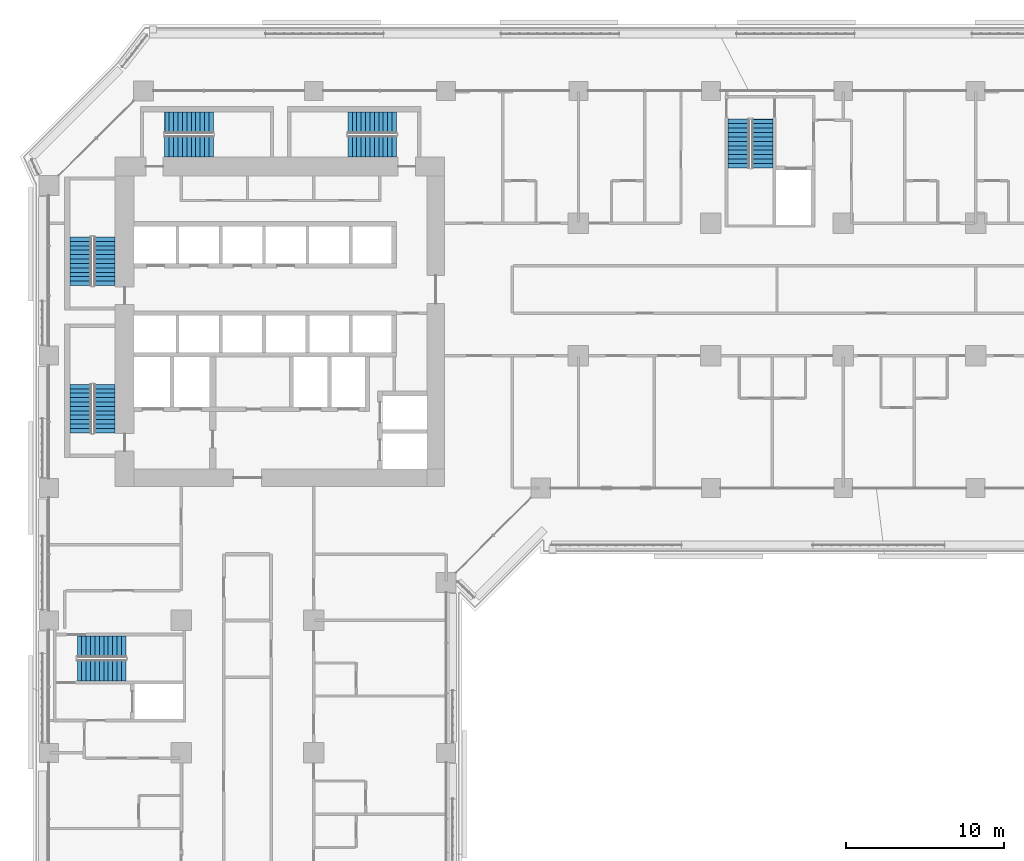
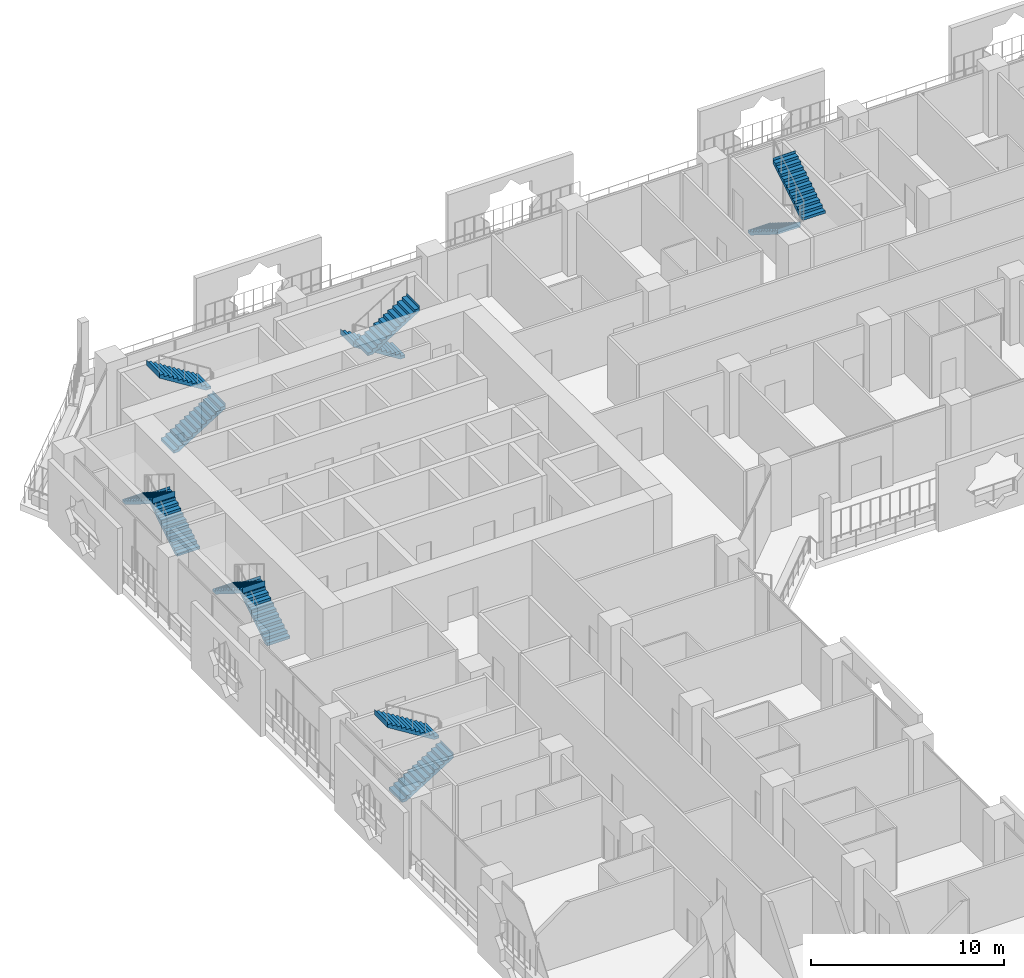
# One storey, part 20 of 28: 12 stair flights, 6 elements without a shape of their own.
"""IFC4 building model written with IfcOpenShell, lengths in metres."""

from ifc_helpers import new_model, si_unit, direction, frame, origin, place, context, subcontext, project, spatial, polyline, outline, extrude, material, type_object, element, aggregate, save


model = new_model("IFC4")

# Units and contexts
model_context = context("Model", 3, precision=1e-05, world=origin(), true_north=direction((0.0, 1.0)))
body_context = subcontext(model_context, "Body", "Model", "MODEL_VIEW")
ifc_project = project(units=[si_unit("LENGTHUNIT", "METRE"), si_unit("AREAUNIT", "SQUARE_METRE"), si_unit("VOLUMEUNIT", "CUBIC_METRE"), si_unit("PLANEANGLEUNIT", "RADIAN"), si_unit("MASSUNIT", "GRAM", prefix="KILO")], contexts=[model_context])

# Site, building, storey
site_placement = place(None, origin())
site = spatial("IfcSite", under=ifc_project, at=site_placement, CompositionType="ELEMENT")
building_placement = place(site_placement, origin())
building = spatial("IfcBuilding", under=site, at=building_placement, Name="Kawkab Arch Medical Tower", CompositionType="ELEMENT")
storey_placement = place(building_placement, frame((0.0, 0.0, 81.199951171875)))
storey = spatial("IfcBuildingStorey", under=building, at=storey_placement, Name="L18", CompositionType="ELEMENT", Elevation=81.199951171875)

# Stair, stair flights
ifc_material_1 = material(Name="Concrete C40/50", Category="concrete")
stair_type = type_object("IfcStairType", Name="Exit stair 1350", PredefinedType="HALF_TURN_STAIR", material=ifc_material_1)
placement = place(storey_placement, origin())
stair_1 = element("IfcStair", 1, at=placement, inside=storey, type_object=stair_type, Name="L18 Exit stair ST1", PredefinedType="HALF_TURN_STAIR")
ifc_material_2 = material(Name="Concrete C40/50", Category="concrete")
stair_flight_type = type_object("IfcStairFlightType", Name="Exit stair flight 1350", PredefinedType="STRAIGHT", material=ifc_material_2)
stair_flight_1_placement = place(storey_placement, frame((3.52490234375, -12.35009765625, 0.0), z_axis=(0.0, 0.0, 1.0), x_axis=(0.0, 1.0, 0.0)))
stair_flight_1 = element("IfcStairFlight", 2, at=stair_flight_1_placement, type_object=stair_flight_type, Name="ST1 flight 1", NumberOfRisers=12, NumberOfTreads=11, PredefinedType="STRAIGHT", RiserHeight=0.175, TreadLength=0.28, context=body_context, shape_type="SweptSolid", body=[
    extrude(outline(polyline([(-0.0029296875, 0.0), (-0.0029296875, 0.175048828125), (0.0, 0.175048828125), (0.280029296875, 0.175048828125), (0.280029296875, 0.35009765625), (0.56005859375, 0.35009765625), (0.56005859375, 0.52490234375), (0.840087890625, 0.52490234375), (0.840087890625, 0.699951171875), (1.1201171875, 0.699951171875), (1.1201171875, 0.875), (1.39990234375, 0.875), (1.39990234375, 1.050048828125), (1.679931640625, 1.050048828125), (1.679931640625, 1.22509765625), (1.9599609375, 1.22509765625), (1.9599609375, 1.39990234375), (2.239990234375, 1.39990234375), (2.239990234375, 1.574951171875), (2.52001953125, 1.574951171875), (2.52001953125, 1.75), (2.800048828125, 1.75), (2.800048828125, 1.925048828125), (3.080078125, 1.925048828125), (3.080078125, 2.10009765625), (3.0830078125, 2.10009765625), (3.0830078125, 1.748291015625), (3.080078125, 1.748291015625), (0.28271484375, 0.0), (-0.0029296875, 0.0)])), frame((0.0, 0.675048828125, 0.0), z_axis=(0.0, -1.0, 0.0), x_axis=(1.0, 0.0, 0.0)), (0.0, 0.0, 1.0), 1.35009765625),
])
stair_flight_2_placement = place(storey_placement, frame((2.02490234375, -9.27001953125, 2.10009765625), z_axis=(0.0, 0.0, 1.0), x_axis=(0.0, -1.0, 0.0)))
stair_flight_2 = element("IfcStairFlight", 3, at=stair_flight_2_placement, type_object=stair_flight_type, Name="ST1 flight 2", NumberOfRisers=12, NumberOfTreads=11, PredefinedType="STRAIGHT", RiserHeight=0.175, TreadLength=0.28, context=body_context, shape_type="SweptSolid", body=[
    extrude(outline(polyline([(-0.0029296875, 0.0), (-0.0029296875, 0.175048828125), (0.0, 0.175048828125), (0.280029296875, 0.175048828125), (0.280029296875, 0.35009765625), (0.56005859375, 0.35009765625), (0.56005859375, 0.52490234375), (0.840087890625, 0.52490234375), (0.840087890625, 0.699951171875), (1.1201171875, 0.699951171875), (1.1201171875, 0.875), (1.39990234375, 0.875), (1.39990234375, 1.050048828125), (1.679931640625, 1.050048828125), (1.679931640625, 1.22509765625), (1.9599609375, 1.22509765625), (1.9599609375, 1.39990234375), (2.239990234375, 1.39990234375), (2.239990234375, 1.574951171875), (2.52001953125, 1.574951171875), (2.52001953125, 1.75), (2.800048828125, 1.75), (2.800048828125, 1.925048828125), (3.080078125, 1.925048828125), (3.080078125, 2.10009765625), (3.0830078125, 2.10009765625), (3.0830078125, 1.748291015625), (3.080078125, 1.748291015625), (0.28271484375, 0.0), (-0.0029296875, 0.0)])), frame((0.0, 0.675048828125, 0.0), z_axis=(0.0, -1.0, 0.0), x_axis=(1.0, 0.0, 0.0)), (0.0, 0.0, 1.0), 1.35009765625),
])
aggregate(stair_1, [stair_flight_1, stair_flight_2])

stair_2 = element("IfcStair", 4, at=placement, inside=storey, type_object=stair_type, Name="L18 Exit stair ST2", PredefinedType="HALF_TURN_STAIR")
stair_flight_3_placement = place(storey_placement, frame((3.52490234375, -21.699951171875, 0.0), z_axis=(0.0, 0.0, 1.0), x_axis=(0.0, 1.0, 0.0)))
stair_flight_3 = element("IfcStairFlight", 5, at=stair_flight_3_placement, type_object=stair_flight_type, Name="ST2 flight 1", NumberOfRisers=12, NumberOfTreads=11, PredefinedType="STRAIGHT", RiserHeight=0.175, TreadLength=0.28, context=body_context, shape_type="SweptSolid", body=[
    extrude(outline(polyline([(-0.0029296875, 0.0), (-0.0029296875, 0.175048828125), (0.0, 0.175048828125), (0.280029296875, 0.175048828125), (0.280029296875, 0.35009765625), (0.56005859375, 0.35009765625), (0.56005859375, 0.52490234375), (0.840087890625, 0.52490234375), (0.840087890625, 0.699951171875), (1.1201171875, 0.699951171875), (1.1201171875, 0.875), (1.39990234375, 0.875), (1.39990234375, 1.050048828125), (1.679931640625, 1.050048828125), (1.679931640625, 1.22509765625), (1.9599609375, 1.22509765625), (1.9599609375, 1.39990234375), (2.239990234375, 1.39990234375), (2.239990234375, 1.574951171875), (2.52001953125, 1.574951171875), (2.52001953125, 1.75), (2.800048828125, 1.75), (2.800048828125, 1.925048828125), (3.080078125, 1.925048828125), (3.080078125, 2.10009765625), (3.0830078125, 2.10009765625), (3.0830078125, 1.748291015625), (3.080078125, 1.748291015625), (0.28271484375, 0.0), (-0.0029296875, 0.0)])), frame((0.0, 0.675048828125, 0.0), z_axis=(0.0, -1.0, 0.0), x_axis=(1.0, 0.0, 0.0)), (0.0, 0.0, 1.0), 1.35009765625),
])
stair_flight_4_placement = place(storey_placement, frame((2.02490234375, -18.6201171875, 2.10009765625), z_axis=(0.0, 0.0, 1.0), x_axis=(0.0, -1.0, 0.0)))
stair_flight_4 = element("IfcStairFlight", 6, at=stair_flight_4_placement, type_object=stair_flight_type, Name="ST2 flight 2", NumberOfRisers=12, NumberOfTreads=11, PredefinedType="STRAIGHT", RiserHeight=0.175, TreadLength=0.28, context=body_context, shape_type="SweptSolid", body=[
    extrude(outline(polyline([(-0.0029296875, 0.0), (-0.0029296875, 0.175048828125), (0.0, 0.175048828125), (0.280029296875, 0.175048828125), (0.280029296875, 0.35009765625), (0.56005859375, 0.35009765625), (0.56005859375, 0.52490234375), (0.840087890625, 0.52490234375), (0.840087890625, 0.699951171875), (1.1201171875, 0.699951171875), (1.1201171875, 0.875), (1.39990234375, 0.875), (1.39990234375, 1.050048828125), (1.679931640625, 1.050048828125), (1.679931640625, 1.22509765625), (1.9599609375, 1.22509765625), (1.9599609375, 1.39990234375), (2.239990234375, 1.39990234375), (2.239990234375, 1.574951171875), (2.52001953125, 1.574951171875), (2.52001953125, 1.75), (2.800048828125, 1.75), (2.800048828125, 1.925048828125), (3.080078125, 1.925048828125), (3.080078125, 2.10009765625), (3.0830078125, 2.10009765625), (3.0830078125, 1.748291015625), (3.080078125, 1.748291015625), (0.28271484375, 0.0), (-0.0029296875, 0.0)])), frame((0.0, 0.675048828125, 0.0), z_axis=(0.0, -1.0, 0.0), x_axis=(1.0, 0.0, 0.0)), (0.0, 0.0, 1.0), 1.35009765625),
])
aggregate(stair_2, [stair_flight_3, stair_flight_4])

stair_3 = element("IfcStair", 7, at=placement, inside=storey, type_object=stair_type, Name="L18 Exit stair ST3", PredefinedType="HALF_TURN_STAIR")
stair_flight_5_placement = place(storey_placement, frame((7.35009765625, -3.52490234375, 0.0), z_axis=(0.0, 0.0, 1.0), x_axis=(1.0, 0.0, 0.0)))
stair_flight_5 = element("IfcStairFlight", 8, at=stair_flight_5_placement, type_object=stair_flight_type, Name="ST3 flight 1", NumberOfRisers=12, NumberOfTreads=11, PredefinedType="STRAIGHT", RiserHeight=0.175, TreadLength=0.28, context=body_context, shape_type="SweptSolid", body=[
    extrude(outline(polyline([(-0.0029296875, 0.0), (-0.0029296875, 0.175048828125), (0.0, 0.175048828125), (0.280029296875, 0.175048828125), (0.280029296875, 0.35009765625), (0.56005859375, 0.35009765625), (0.56005859375, 0.52490234375), (0.840087890625, 0.52490234375), (0.840087890625, 0.699951171875), (1.1201171875, 0.699951171875), (1.1201171875, 0.875), (1.39990234375, 0.875), (1.39990234375, 1.050048828125), (1.679931640625, 1.050048828125), (1.679931640625, 1.22509765625), (1.9599609375, 1.22509765625), (1.9599609375, 1.39990234375), (2.239990234375, 1.39990234375), (2.239990234375, 1.574951171875), (2.52001953125, 1.574951171875), (2.52001953125, 1.75), (2.800048828125, 1.75), (2.800048828125, 1.925048828125), (3.080078125, 1.925048828125), (3.080078125, 2.10009765625), (3.0830078125, 2.10009765625), (3.0830078125, 1.748291015625), (3.080078125, 1.748291015625), (0.28271484375, 0.0), (-0.0029296875, 0.0)])), frame((0.0, 0.675048828125, 0.0), z_axis=(0.0, -1.0, 0.0), x_axis=(1.0, 0.0, 0.0)), (0.0, 0.0, 1.0), 1.35009765625),
])
stair_flight_6_placement = place(storey_placement, frame((10.429931640625, -2.02490234375, 2.10009765625), z_axis=(0.0, 0.0, 1.0), x_axis=(-1.0, 0.0, 0.0)))
stair_flight_6 = element("IfcStairFlight", 9, at=stair_flight_6_placement, type_object=stair_flight_type, Name="ST3 flight 2", NumberOfRisers=12, NumberOfTreads=11, PredefinedType="STRAIGHT", RiserHeight=0.175, TreadLength=0.28, context=body_context, shape_type="SweptSolid", body=[
    extrude(outline(polyline([(-0.0029296875, 0.0), (-0.0029296875, 0.175048828125), (0.0, 0.175048828125), (0.280029296875, 0.175048828125), (0.280029296875, 0.35009765625), (0.56005859375, 0.35009765625), (0.56005859375, 0.52490234375), (0.840087890625, 0.52490234375), (0.840087890625, 0.699951171875), (1.1201171875, 0.699951171875), (1.1201171875, 0.875), (1.39990234375, 0.875), (1.39990234375, 1.050048828125), (1.679931640625, 1.050048828125), (1.679931640625, 1.22509765625), (1.9599609375, 1.22509765625), (1.9599609375, 1.39990234375), (2.239990234375, 1.39990234375), (2.239990234375, 1.574951171875), (2.52001953125, 1.574951171875), (2.52001953125, 1.75), (2.800048828125, 1.75), (2.800048828125, 1.925048828125), (3.080078125, 1.925048828125), (3.080078125, 2.10009765625), (3.0830078125, 2.10009765625), (3.0830078125, 1.748291015625), (3.080078125, 1.748291015625), (0.28271484375, 0.0), (-0.0029296875, 0.0)])), frame((0.0, 0.675048828125, 0.0), z_axis=(0.0, -1.0, 0.0), x_axis=(1.0, 0.0, 0.0)), (0.0, 0.0, 1.0), 1.35009765625),
])
aggregate(stair_3, [stair_flight_5, stair_flight_6])

stair_4 = element("IfcStair", 10, at=placement, inside=storey, type_object=stair_type, Name="L18 Exit stair ST4", PredefinedType="HALF_TURN_STAIR")
stair_flight_7_placement = place(storey_placement, frame((22.050048828125, -2.02490234375, 0.0), z_axis=(0.0, 0.0, 1.0), x_axis=(-1.0, 0.0, 0.0)))
stair_flight_7 = element("IfcStairFlight", 11, at=stair_flight_7_placement, type_object=stair_flight_type, Name="ST4 flight 1", NumberOfRisers=12, NumberOfTreads=11, PredefinedType="STRAIGHT", RiserHeight=0.175, TreadLength=0.28, context=body_context, shape_type="SweptSolid", body=[
    extrude(outline(polyline([(-0.0029296875, 0.0), (-0.0029296875, 0.175048828125), (0.0, 0.175048828125), (0.280029296875, 0.175048828125), (0.280029296875, 0.35009765625), (0.56005859375, 0.35009765625), (0.56005859375, 0.52490234375), (0.840087890625, 0.52490234375), (0.840087890625, 0.699951171875), (1.1201171875, 0.699951171875), (1.1201171875, 0.875), (1.39990234375, 0.875), (1.39990234375, 1.050048828125), (1.679931640625, 1.050048828125), (1.679931640625, 1.22509765625), (1.9599609375, 1.22509765625), (1.9599609375, 1.39990234375), (2.239990234375, 1.39990234375), (2.239990234375, 1.574951171875), (2.52001953125, 1.574951171875), (2.52001953125, 1.75), (2.800048828125, 1.75), (2.800048828125, 1.925048828125), (3.080078125, 1.925048828125), (3.080078125, 2.10009765625), (3.0830078125, 2.10009765625), (3.0830078125, 1.748291015625), (3.080078125, 1.748291015625), (0.28271484375, 0.0), (-0.0029296875, 0.0)])), frame((0.0, 0.675048828125, 0.0), z_axis=(0.0, -1.0, 0.0), x_axis=(1.0, 0.0, 0.0)), (0.0, 0.0, 1.0), 1.35009765625),
])
stair_flight_8_placement = place(storey_placement, frame((18.969970703125, -3.52490234375, 2.10009765625), z_axis=(0.0, 0.0, 1.0), x_axis=(1.0, 0.0, 0.0)))
stair_flight_8 = element("IfcStairFlight", 12, at=stair_flight_8_placement, type_object=stair_flight_type, Name="ST4 flight 2", NumberOfRisers=12, NumberOfTreads=11, PredefinedType="STRAIGHT", RiserHeight=0.175, TreadLength=0.28, context=body_context, shape_type="SweptSolid", body=[
    extrude(outline(polyline([(-0.0029296875, 0.0), (-0.0029296875, 0.175048828125), (0.0, 0.175048828125), (0.280029296875, 0.175048828125), (0.280029296875, 0.35009765625), (0.56005859375, 0.35009765625), (0.56005859375, 0.52490234375), (0.840087890625, 0.52490234375), (0.840087890625, 0.699951171875), (1.1201171875, 0.699951171875), (1.1201171875, 0.875), (1.39990234375, 0.875), (1.39990234375, 1.050048828125), (1.679931640625, 1.050048828125), (1.679931640625, 1.22509765625), (1.9599609375, 1.22509765625), (1.9599609375, 1.39990234375), (2.239990234375, 1.39990234375), (2.239990234375, 1.574951171875), (2.52001953125, 1.574951171875), (2.52001953125, 1.75), (2.800048828125, 1.75), (2.800048828125, 1.925048828125), (3.080078125, 1.925048828125), (3.080078125, 2.10009765625), (3.0830078125, 2.10009765625), (3.0830078125, 1.748291015625), (3.080078125, 1.748291015625), (0.28271484375, 0.0), (-0.0029296875, 0.0)])), frame((0.0, 0.675048828125, 0.0), z_axis=(0.0, -1.0, 0.0), x_axis=(1.0, 0.0, 0.0)), (0.0, 0.0, 1.0), 1.35009765625),
])
aggregate(stair_4, [stair_flight_7, stair_flight_8])

stair_5 = element("IfcStair", 13, at=placement, inside=storey, type_object=stair_type, Name="L18 Exit stair ST5", PredefinedType="HALF_TURN_STAIR")
stair_flight_9_placement = place(storey_placement, frame((43.77490234375, -1.800048828125, 0.0), z_axis=(0.0, 0.0, 1.0), x_axis=(0.0, -1.0, 0.0)))
stair_flight_9 = element("IfcStairFlight", 14, at=stair_flight_9_placement, type_object=stair_flight_type, Name="ST5 flight 1", NumberOfRisers=12, NumberOfTreads=11, PredefinedType="STRAIGHT", RiserHeight=0.175, TreadLength=0.28, context=body_context, shape_type="SweptSolid", body=[
    extrude(outline(polyline([(-0.0029296875, 0.0), (-0.0029296875, 0.175048828125), (0.0, 0.175048828125), (0.280029296875, 0.175048828125), (0.280029296875, 0.35009765625), (0.56005859375, 0.35009765625), (0.56005859375, 0.52490234375), (0.840087890625, 0.52490234375), (0.840087890625, 0.699951171875), (1.1201171875, 0.699951171875), (1.1201171875, 0.875), (1.39990234375, 0.875), (1.39990234375, 1.050048828125), (1.679931640625, 1.050048828125), (1.679931640625, 1.22509765625), (1.9599609375, 1.22509765625), (1.9599609375, 1.39990234375), (2.239990234375, 1.39990234375), (2.239990234375, 1.574951171875), (2.52001953125, 1.574951171875), (2.52001953125, 1.75), (2.800048828125, 1.75), (2.800048828125, 1.925048828125), (3.080078125, 1.925048828125), (3.080078125, 2.10009765625), (3.0830078125, 2.10009765625), (3.0830078125, 1.748291015625), (3.080078125, 1.748291015625), (0.28271484375, 0.0), (-0.0029296875, 0.0)])), frame((0.0, 0.675048828125, 0.0), z_axis=(0.0, -1.0, 0.0), x_axis=(1.0, 0.0, 0.0)), (0.0, 0.0, 1.0), 1.35009765625),
])
stair_flight_10_placement = place(storey_placement, frame((45.27490234375, -4.8798828125, 2.10009765625), z_axis=(0.0, 0.0, 1.0), x_axis=(0.0, 1.0, 0.0)))
stair_flight_10 = element("IfcStairFlight", 15, at=stair_flight_10_placement, type_object=stair_flight_type, Name="ST5 flight 2", NumberOfRisers=12, NumberOfTreads=11, PredefinedType="STRAIGHT", RiserHeight=0.175, TreadLength=0.28, context=body_context, shape_type="SweptSolid", body=[
    extrude(outline(polyline([(-0.0029296875, 0.0), (-0.0029296875, 0.175048828125), (0.0, 0.175048828125), (0.280029296875, 0.175048828125), (0.280029296875, 0.35009765625), (0.56005859375, 0.35009765625), (0.56005859375, 0.52490234375), (0.840087890625, 0.52490234375), (0.840087890625, 0.699951171875), (1.1201171875, 0.699951171875), (1.1201171875, 0.875), (1.39990234375, 0.875), (1.39990234375, 1.050048828125), (1.679931640625, 1.050048828125), (1.679931640625, 1.22509765625), (1.9599609375, 1.22509765625), (1.9599609375, 1.39990234375), (2.239990234375, 1.39990234375), (2.239990234375, 1.574951171875), (2.52001953125, 1.574951171875), (2.52001953125, 1.75), (2.800048828125, 1.75), (2.800048828125, 1.925048828125), (3.080078125, 1.925048828125), (3.080078125, 2.10009765625), (3.0830078125, 2.10009765625), (3.0830078125, 1.748291015625), (3.080078125, 1.748291015625), (0.28271484375, 0.0), (-0.0029296875, 0.0)])), frame((0.0, 0.675048828125, 0.0), z_axis=(0.0, -1.0, 0.0), x_axis=(1.0, 0.0, 0.0)), (0.0, 0.0, 1.0), 1.35009765625),
])
aggregate(stair_5, [stair_flight_9, stair_flight_10])

stair_6 = element("IfcStair", 16, at=placement, inside=storey, type_object=stair_type, Name="L18 Exit stair ST6", PredefinedType="HALF_TURN_STAIR")
stair_flight_11_placement = place(storey_placement, frame((1.800048828125, -36.77490234375, 0.0), z_axis=(0.0, 0.0, 1.0), x_axis=(1.0, 0.0, 0.0)))
stair_flight_11 = element("IfcStairFlight", 17, at=stair_flight_11_placement, type_object=stair_flight_type, Name="ST6 flight 1", NumberOfRisers=12, NumberOfTreads=11, PredefinedType="STRAIGHT", RiserHeight=0.175, TreadLength=0.28, context=body_context, shape_type="SweptSolid", body=[
    extrude(outline(polyline([(-0.0029296875, 0.0), (-0.0029296875, 0.175048828125), (0.0, 0.175048828125), (0.280029296875, 0.175048828125), (0.280029296875, 0.35009765625), (0.56005859375, 0.35009765625), (0.56005859375, 0.52490234375), (0.840087890625, 0.52490234375), (0.840087890625, 0.699951171875), (1.1201171875, 0.699951171875), (1.1201171875, 0.875), (1.39990234375, 0.875), (1.39990234375, 1.050048828125), (1.679931640625, 1.050048828125), (1.679931640625, 1.22509765625), (1.9599609375, 1.22509765625), (1.9599609375, 1.39990234375), (2.239990234375, 1.39990234375), (2.239990234375, 1.574951171875), (2.52001953125, 1.574951171875), (2.52001953125, 1.75), (2.800048828125, 1.75), (2.800048828125, 1.925048828125), (3.080078125, 1.925048828125), (3.080078125, 2.10009765625), (3.0830078125, 2.10009765625), (3.0830078125, 1.748291015625), (3.080078125, 1.748291015625), (0.28271484375, 0.0), (-0.0029296875, 0.0)])), frame((0.0, 0.675048828125, 0.0), z_axis=(0.0, -1.0, 0.0), x_axis=(1.0, 0.0, 0.0)), (0.0, 0.0, 1.0), 1.35009765625),
])
stair_flight_12_placement = place(storey_placement, frame((4.8798828125, -35.27490234375, 2.10009765625), z_axis=(0.0, 0.0, 1.0), x_axis=(-1.0, 0.0, 0.0)))
stair_flight_12 = element("IfcStairFlight", 18, at=stair_flight_12_placement, type_object=stair_flight_type, Name="ST6 flight 2", NumberOfRisers=12, NumberOfTreads=11, PredefinedType="STRAIGHT", RiserHeight=0.175, TreadLength=0.28, context=body_context, shape_type="SweptSolid", body=[
    extrude(outline(polyline([(-0.0029296875, 0.0), (-0.0029296875, 0.175048828125), (0.0, 0.175048828125), (0.280029296875, 0.175048828125), (0.280029296875, 0.35009765625), (0.56005859375, 0.35009765625), (0.56005859375, 0.52490234375), (0.840087890625, 0.52490234375), (0.840087890625, 0.699951171875), (1.1201171875, 0.699951171875), (1.1201171875, 0.875), (1.39990234375, 0.875), (1.39990234375, 1.050048828125), (1.679931640625, 1.050048828125), (1.679931640625, 1.22509765625), (1.9599609375, 1.22509765625), (1.9599609375, 1.39990234375), (2.239990234375, 1.39990234375), (2.239990234375, 1.574951171875), (2.52001953125, 1.574951171875), (2.52001953125, 1.75), (2.800048828125, 1.75), (2.800048828125, 1.925048828125), (3.080078125, 1.925048828125), (3.080078125, 2.10009765625), (3.0830078125, 2.10009765625), (3.0830078125, 1.748291015625), (3.080078125, 1.748291015625), (0.28271484375, 0.0), (-0.0029296875, 0.0)])), frame((0.0, 0.675048828125, 0.0), z_axis=(0.0, -1.0, 0.0), x_axis=(1.0, 0.0, 0.0)), (0.0, 0.0, 1.0), 1.35009765625),
])
aggregate(stair_6, [stair_flight_11, stair_flight_12])

save(model, "model.ifc")
